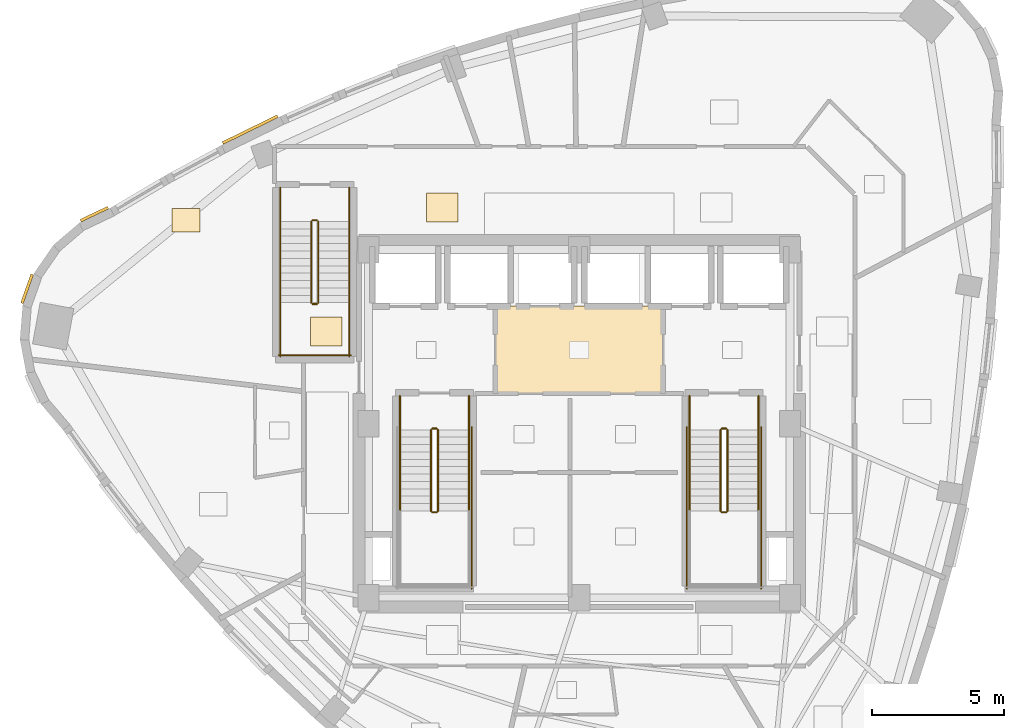
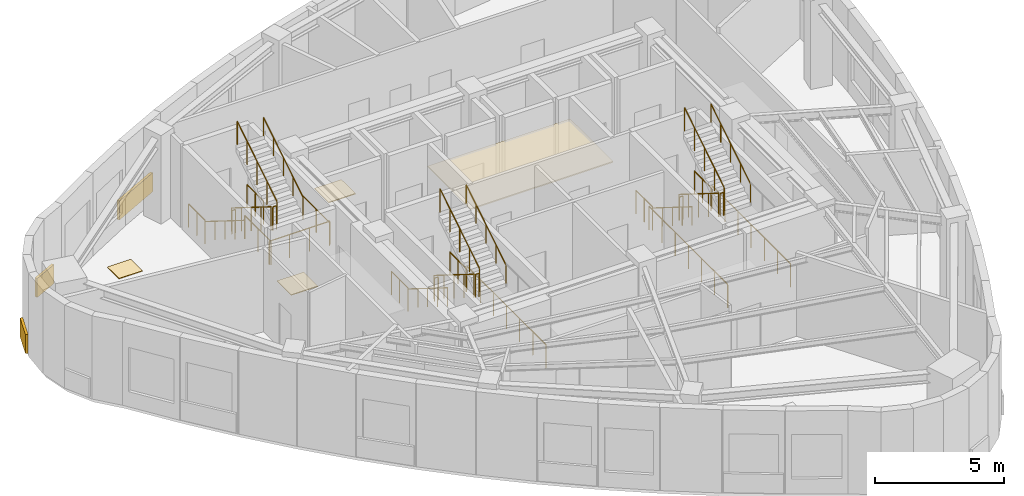
# One storey, part 8 of 9: 30 railings, 7 coverings.
"""IFC4 building model written with IfcOpenShell, lengths in metres."""

from ifc_helpers import new_model, si_unit, direction, frame, origin, origin_2d, place, context, subcontext, project, spatial, rectangle, circle, extrude, material, layer, layer_set, type_object, element, save


model = new_model("IFC4")

# Units and contexts
model_context = context("Model", 3, precision=1e-05, world=origin(), true_north=direction((0.0, 1.0)))
body_context = subcontext(model_context, "Body", "Model", "MODEL_VIEW")
ifc_project = project(units=[si_unit("LENGTHUNIT", "METRE"), si_unit("AREAUNIT", "SQUARE_METRE"), si_unit("VOLUMEUNIT", "CUBIC_METRE"), si_unit("PLANEANGLEUNIT", "RADIAN"), si_unit("MASSUNIT", "GRAM", prefix="KILO")], contexts=[model_context])

# Site, building, storey
site_placement = place(None, origin())
site = spatial("IfcSite", under=ifc_project, at=site_placement, CompositionType="ELEMENT")
building_placement = place(site_placement, origin())
building = spatial("IfcBuilding", under=site, at=building_placement, Name="Ndelora Gate Hotel", CompositionType="ELEMENT")
storey_placement = place(building_placement, frame((0.0, 0.0, 260.199951171875)))
storey = spatial("IfcBuildingStorey", under=building, at=storey_placement, Name="L65", CompositionType="ELEMENT", Elevation=260.199951171875)

# Coverings
ifc_material_1 = material(Name="Perforated Acoustic Gypsum Board", Category="gypsum")
ifc_layer_1 = layer(ifc_material_1, 0.054931640625)
ifc_layer_set_1 = layer_set([ifc_layer_1], Name="Perforated Acoustic Gypsum Board")
covering_type_1 = type_object("IfcCoveringType", Name="COV-CEIL-AC60", PredefinedType="CEILING", material=ifc_layer_set_1)
covering_1_placement = place(storey_placement, frame((0.0, 2.800048828125, 2.72265625), z_axis=(0.0, 0.0, 1.0), x_axis=(1.0, 0.0, 0.0)))
element("IfcCovering", 1, at=covering_1_placement, inside=storey, type_object=covering_type_1, Name="L65 Lift Lobby Acoustic Ceiling", PredefinedType="CEILING", context=body_context, shape_type="SweptSolid", body=[
    extrude(rectangle(XDim=6.39990234375, YDim=3.340087890625, at=origin_2d()), origin(), (0.0, 0.0, 1.0), 0.054931640625),
])
ifc_material_2 = material(Name="Terracotta Fired Clay Brick Slip Cladding", Category="masonry")
ifc_layer_2 = layer(ifc_material_2, 0.110107421875)
ifc_layer_set_2 = layer_set([ifc_layer_2], Name="Terracotta Fired Clay Brick Slip Cladding")
covering_type_2 = type_object("IfcCoveringType", Name="COV-CLAD-BRK", PredefinedType="CLADDING", material=ifc_layer_set_2)
for number, where, z_axis, x_axis, name in (
    (2, (-18.3916015625, 7.9462890625, 0.10009765625), (0.0, 0.0, 1.0), (0.90258528435, 0.430511096808, 0.0), "L65 Rounded-Corner Brick Cladding Band 1"),
    (3, (-20.940673828125, 5.115234375, 0.10009765625), (0.0, 0.0, 1.0), (0.333806859234, 0.942641491092, 0.0), "L65 Rounded-Corner Brick Cladding Band 4"),
):
    element("IfcCovering", number, at=place(storey_placement, frame(where, z_axis=z_axis, x_axis=x_axis)), inside=storey, type_object=covering_type_2, Name=name, PredefinedType="CLADDING", context=body_context, shape_type="SweptSolid", body=[
        extrude(rectangle(XDim=1.153076171875, YDim=0.110107421875, at=origin_2d()), origin(), (0.0, 0.0, 1.0), 0.89990234375),
    ])
covering_2_placement = place(storey_placement, frame((-12.480224609375, 11.15380859375, 0.10009765625), z_axis=(0.0, 0.0, 1.0), x_axis=(0.898181088787, 0.4396256723, 0.0)))
element("IfcCovering", 4, at=covering_2_placement, inside=storey, type_object=covering_type_2, Name="L65 Rounded-Corner Brick Cladding Band 58", PredefinedType="CLADDING", context=body_context, shape_type="SweptSolid", body=[
    extrude(rectangle(XDim=2.322021484375, YDim=0.110107421875, at=origin_2d()), origin(), (0.0, 0.0, 1.0), 0.89990234375),
])
ifc_material_3 = material(Name="Engineered Highland Oak Parquet", Category="wood")
ifc_layer_3 = layer(ifc_material_3, 0.030029296875)
ifc_layer_set_3 = layer_set([ifc_layer_3], Name="Engineered Highland Oak Parquet")
covering_type_3 = type_object("IfcCoveringType", Name="COV-FLR-PARQ", PredefinedType="FLOORING", material=ifc_layer_set_3)
covering_3_placement = place(storey_placement, frame((-14.9140625, 7.714111328125, 0.0), z_axis=(0.0, 0.0, 1.0), x_axis=(1.0, 0.0, 0.0)))
element("IfcCovering", 5, at=covering_3_placement, inside=storey, type_object=covering_type_3, Name="L65 Sky Garden Tea Dining Room Oak Parquet Flooring", PredefinedType="FLOORING", context=body_context, shape_type="SweptSolid", body=[
    extrude(rectangle(XDim=1.050048828125, YDim=0.89990234375, at=origin_2d()), origin(), (0.0, 0.0, 1.0), 0.030029296875),
])
ifc_material_4 = material(Name="Polished Highland Stone Terrazzo", Category="masonry")
ifc_layer_4 = layer(ifc_material_4, 0.034912109375)
ifc_layer_set_4 = layer_set([ifc_layer_4], Name="Polished Highland Stone Terrazzo")
covering_type_4 = type_object("IfcCoveringType", Name="COV-FLR-TERZ", PredefinedType="FLOORING", material=ifc_layer_set_4)
for number, where, z_axis, x_axis, name in (
    (6, (-5.199951171875, 8.199951171875, 0.0), (0.0, 0.0, 1.0), (1.0, 0.0, 0.0), "L65 Corridor Threshold Terrazzo Inlay NW"),
    (7, (-9.60009765625, 3.5, 0.0), (0.0, 0.0, 1.0), (1.0, 0.0, 0.0), "L65 Corridor Threshold Terrazzo Inlay W"),
):
    element("IfcCovering", number, at=place(storey_placement, frame(where, z_axis=z_axis, x_axis=x_axis)), inside=storey, type_object=covering_type_4, Name=name, PredefinedType="FLOORING", context=body_context, shape_type="SweptSolid", body=[
        extrude(rectangle(XDim=1.199951171875, YDim=1.10009765625, at=origin_2d()), origin(), (0.0, 0.0, 1.0), 0.034912109375),
    ])

# Railings
ifc_material_5 = material(Name="Painted Galvanized Steel Balustrade", Category="steel")
ifc_layer_5 = layer(ifc_material_5, 0.06005859375)
ifc_layer_set_5 = layer_set([ifc_layer_5], Name="Painted Galvanized Steel Balustrade")
railing_type_1 = type_object("IfcRailingType", Name="RL-STAIR-GD", PredefinedType="GUARDRAIL", material=ifc_layer_set_5)
railing_1_placement = place(storey_placement, frame((-5.6201171875, -0.22998046875, 0.175048828125)))
element("IfcRailing", 8, at=railing_1_placement, inside=storey, type_object=railing_type_1, Name="L65 ST4 stair guard 1", PredefinedType="GUARDRAIL", context=body_context, shape_type="SweptSolid", body=[
    extrude(circle(Radius=0.02392578125, at=origin_2d()), frame((0.0, 0.0, 1.10595703125), z_axis=(0.0, -0.847998304005, 0.529998940003), x_axis=(1.0, 0.0, 0.0)), (0.0, 0.0, 1.0), 3.632080078125),
    extrude(circle(Radius=0.02099609375, at=origin_2d()), origin(), (0.0, 0.0, 1.0), 1.081787109375),
    extrude(circle(Radius=0.02099609375, at=origin_2d()), frame((0.0, -0.77001953125, 0.481201171875)), (0.0, 0.0, 1.0), 1.081787109375),
    extrude(circle(Radius=0.02099609375, at=origin_2d()), frame((0.0, -1.5400390625, 0.96240234375)), (0.0, 0.0, 1.0), 1.081787109375),
    extrude(circle(Radius=0.02099609375, at=origin_2d()), frame((0.0, -2.31005859375, 1.44384765625)), (0.0, 0.0, 1.0), 1.081787109375),
    extrude(circle(Radius=0.02099609375, at=origin_2d()), frame((0.0, -3.080078125, 1.925048828125)), (0.0, 0.0, 1.0), 1.081787109375),
])
railing_2_placement = place(storey_placement, frame((-5.570068359375, -3.360107421875, 2.10009765625)))
element("IfcRailing", 9, at=railing_2_placement, inside=storey, type_object=railing_type_1, Name="L65 ST4 stair guard 2", PredefinedType="GUARDRAIL", context=body_context, shape_type="SweptSolid", body=[
    extrude(circle(Radius=0.02392578125, at=origin_2d()), frame((0.0, 0.0, 1.10595703125), z_axis=(1.0, 0.0, 0.0), x_axis=(0.0, 1.0, 0.0)), (0.0, 0.0, 1.0), 0.16015625),
    extrude(circle(Radius=0.02099609375, at=origin_2d()), origin(), (0.0, 0.0, 1.0), 1.081787109375),
    extrude(circle(Radius=0.02099609375, at=origin_2d()), frame((0.16015625, 0.0, 0.0)), (0.0, 0.0, 1.0), 1.081787109375),
])
railing_3_placement = place(storey_placement, frame((-5.360107421875, -3.31005859375, 2.275146484375)))
element("IfcRailing", 10, at=railing_3_placement, inside=storey, type_object=railing_type_1, Name="L65 ST4 stair guard 6", PredefinedType="GUARDRAIL", context=body_context, shape_type="SweptSolid", body=[
    extrude(circle(Radius=0.02392578125, at=origin_2d()), frame((0.0, 0.0, 1.10595703125), z_axis=(0.0, 0.848028513186, 0.529950602248), x_axis=(-1.0, 0.0, 0.0)), (0.0, 0.0, 1.0), 3.632080078125),
    extrude(circle(Radius=0.02099609375, at=origin_2d()), origin(), (0.0, 0.0, 1.0), 1.081787109375),
    extrude(circle(Radius=0.02099609375, at=origin_2d()), frame((0.0, 0.77001953125, 0.481201171875)), (0.0, 0.0, 1.0), 1.081787109375),
    extrude(circle(Radius=0.02099609375, at=origin_2d()), frame((0.0, 1.5400390625, 0.96240234375)), (0.0, 0.0, 1.0), 1.081787109375),
    extrude(circle(Radius=0.02099609375, at=origin_2d()), frame((0.0, 2.31005859375, 1.443603515625)), (0.0, 0.0, 1.0), 1.081787109375),
    extrude(circle(Radius=0.02099609375, at=origin_2d()), frame((0.0, 3.080078125, 1.9248046875)), (0.0, 0.0, 1.0), 1.081787109375),
])
railing_4_placement = place(storey_placement, frame((-5.570068359375, -0.179931640625, 0.0)))
element("IfcRailing", 11, at=railing_4_placement, inside=storey, type_object=railing_type_1, Name="L65 ST4 stair guard 7", PredefinedType="GUARDRAIL", context=body_context, shape_type="SweptSolid", body=[
    extrude(circle(Radius=0.02392578125, at=origin_2d()), frame((0.0, 0.0, 1.10595703125), z_axis=(1.0, 0.0, 0.0), x_axis=(0.0, 1.0, 0.0)), (0.0, 0.0, 1.0), 0.16015625),
    extrude(circle(Radius=0.02099609375, at=origin_2d()), origin(), (0.0, 0.0, 1.0), 1.081787109375),
    extrude(circle(Radius=0.02099609375, at=origin_2d()), frame((0.16015625, 0.0, 0.0)), (0.0, 0.0, 1.0), 1.081787109375),
])
for number, where, name in (
    (12, (-6.800048828125, 1.050048828125, 0.0), "L65 ST4 stair guard 8"),
    (13, (-4.179931640625, 1.050048828125, 0.0), "L65 ST4 stair guard 9"),
):
    element("IfcRailing", number, at=place(storey_placement, frame(where)), inside=storey, type_object=railing_type_1, Name=name, PredefinedType="GUARDRAIL", context=body_context, shape_type="SweptSolid", body=[
        extrude(circle(Radius=0.02392578125, at=origin_2d()), frame((0.0, 0.0, 1.10595703125), z_axis=(0.0, -1.0, 0.0), x_axis=(1.0, 0.0, 0.0)), (0.0, 0.0, 1.0), 1.280029296875),
        extrude(circle(Radius=0.02099609375, at=origin_2d()), origin(), (0.0, 0.0, 1.0), 1.081787109375),
        extrude(circle(Radius=0.02099609375, at=origin_2d()), frame((0.0, -0.64013671875, 0.0)), (0.0, 0.0, 1.0), 1.081787109375),
        extrude(circle(Radius=0.02099609375, at=origin_2d()), frame((0.0, -1.280029296875, 0.0)), (0.0, 0.0, 1.0), 1.081787109375),
    ])
railing_5_placement = place(storey_placement, frame((-4.080078125, -0.1298828125, 0.0)))
element("IfcRailing", 14, at=railing_5_placement, inside=storey, type_object=railing_type_1, Name="L65 ST4 stair guard 11", PredefinedType="GUARDRAIL", context=body_context, shape_type="SweptSolid", body=[
    extrude(circle(Radius=0.02392578125, at=origin_2d()), frame((0.0, 0.0, 1.10595703125), z_axis=(0.0, -1.0, 0.0), x_axis=(1.0, 0.0, 0.0)), (0.0, 0.0, 1.0), 6.1201171875),
    extrude(circle(Radius=0.02099609375, at=origin_2d()), origin(), (0.0, 0.0, 1.0), 1.081787109375),
    extrude(circle(Radius=0.02099609375, at=origin_2d()), frame((0.0, -1.02001953125, 0.0)), (0.0, 0.0, 1.0), 1.081787109375),
    extrude(circle(Radius=0.02099609375, at=origin_2d()), frame((0.0, -2.0400390625, 0.0)), (0.0, 0.0, 1.0), 1.081787109375),
    extrude(circle(Radius=0.02099609375, at=origin_2d()), frame((0.0, -3.06005859375, 0.0)), (0.0, 0.0, 1.0), 1.081787109375),
    extrude(circle(Radius=0.02099609375, at=origin_2d()), frame((0.0, -4.080078125, 0.0)), (0.0, 0.0, 1.0), 1.081787109375),
    extrude(circle(Radius=0.02099609375, at=origin_2d()), frame((0.0, -5.10009765625, 0.0)), (0.0, 0.0, 1.0), 1.081787109375),
    extrude(circle(Radius=0.02099609375, at=origin_2d()), frame((0.0, -6.1201171875, 0.0)), (0.0, 0.0, 1.0), 1.081787109375),
])
railing_6_placement = place(storey_placement, frame((5.360107421875, -0.22998046875, 0.175048828125)))
element("IfcRailing", 15, at=railing_6_placement, inside=storey, type_object=railing_type_1, Name="L65 ST5 stair guard 1", PredefinedType="GUARDRAIL", context=body_context, shape_type="SweptSolid", body=[
    extrude(circle(Radius=0.02392578125, at=origin_2d()), frame((0.0, 0.0, 1.10595703125), z_axis=(0.0, -0.847998304005, 0.529998940003), x_axis=(1.0, 0.0, 0.0)), (0.0, 0.0, 1.0), 3.632080078125),
    extrude(circle(Radius=0.02099609375, at=origin_2d()), origin(), (0.0, 0.0, 1.0), 1.081787109375),
    extrude(circle(Radius=0.02099609375, at=origin_2d()), frame((0.0, -0.77001953125, 0.481201171875)), (0.0, 0.0, 1.0), 1.081787109375),
    extrude(circle(Radius=0.02099609375, at=origin_2d()), frame((0.0, -1.5400390625, 0.96240234375)), (0.0, 0.0, 1.0), 1.081787109375),
    extrude(circle(Radius=0.02099609375, at=origin_2d()), frame((0.0, -2.31005859375, 1.44384765625)), (0.0, 0.0, 1.0), 1.081787109375),
    extrude(circle(Radius=0.02099609375, at=origin_2d()), frame((0.0, -3.080078125, 1.925048828125)), (0.0, 0.0, 1.0), 1.081787109375),
])
railing_7_placement = place(storey_placement, frame((5.409912109375, -3.360107421875, 2.10009765625)))
element("IfcRailing", 16, at=railing_7_placement, inside=storey, type_object=railing_type_1, Name="L65 ST5 stair guard 2", PredefinedType="GUARDRAIL", context=body_context, shape_type="SweptSolid", body=[
    extrude(circle(Radius=0.02392578125, at=origin_2d()), frame((0.0, 0.0, 1.10595703125), z_axis=(1.0, 0.0, 0.0), x_axis=(0.0, 1.0, 0.0)), (0.0, 0.0, 1.0), 0.16015625),
    extrude(circle(Radius=0.02099609375, at=origin_2d()), origin(), (0.0, 0.0, 1.0), 1.081787109375),
    extrude(circle(Radius=0.02099609375, at=origin_2d()), frame((0.16015625, 0.0, 0.0)), (0.0, 0.0, 1.0), 1.081787109375),
])
railing_8_placement = place(storey_placement, frame((5.6201171875, -3.31005859375, 2.275146484375)))
element("IfcRailing", 17, at=railing_8_placement, inside=storey, type_object=railing_type_1, Name="L65 ST5 stair guard 6", PredefinedType="GUARDRAIL", context=body_context, shape_type="SweptSolid", body=[
    extrude(circle(Radius=0.02392578125, at=origin_2d()), frame((0.0, 0.0, 1.10595703125), z_axis=(0.0, 0.848028513186, 0.529950602248), x_axis=(-1.0, 0.0, 0.0)), (0.0, 0.0, 1.0), 3.632080078125),
    extrude(circle(Radius=0.02099609375, at=origin_2d()), origin(), (0.0, 0.0, 1.0), 1.081787109375),
    extrude(circle(Radius=0.02099609375, at=origin_2d()), frame((0.0, 0.77001953125, 0.481201171875)), (0.0, 0.0, 1.0), 1.081787109375),
    extrude(circle(Radius=0.02099609375, at=origin_2d()), frame((0.0, 1.5400390625, 0.96240234375)), (0.0, 0.0, 1.0), 1.081787109375),
    extrude(circle(Radius=0.02099609375, at=origin_2d()), frame((0.0, 2.31005859375, 1.443603515625)), (0.0, 0.0, 1.0), 1.081787109375),
    extrude(circle(Radius=0.02099609375, at=origin_2d()), frame((0.0, 3.080078125, 1.9248046875)), (0.0, 0.0, 1.0), 1.081787109375),
])
railing_9_placement = place(storey_placement, frame((5.409912109375, -0.179931640625, 0.0)))
element("IfcRailing", 18, at=railing_9_placement, inside=storey, type_object=railing_type_1, Name="L65 ST5 stair guard 7", PredefinedType="GUARDRAIL", context=body_context, shape_type="SweptSolid", body=[
    extrude(circle(Radius=0.02392578125, at=origin_2d()), frame((0.0, 0.0, 1.10595703125), z_axis=(1.0, 0.0, 0.0), x_axis=(0.0, 1.0, 0.0)), (0.0, 0.0, 1.0), 0.16015625),
    extrude(circle(Radius=0.02099609375, at=origin_2d()), origin(), (0.0, 0.0, 1.0), 1.081787109375),
    extrude(circle(Radius=0.02099609375, at=origin_2d()), frame((0.16015625, 0.0, 0.0)), (0.0, 0.0, 1.0), 1.081787109375),
])
for number, where, name in (
    (19, (4.179931640625, 1.050048828125, 0.0), "L65 ST5 stair guard 8"),
    (20, (6.800048828125, 1.050048828125, 0.0), "L65 ST5 stair guard 9"),
):
    element("IfcRailing", number, at=place(storey_placement, frame(where)), inside=storey, type_object=railing_type_1, Name=name, PredefinedType="GUARDRAIL", context=body_context, shape_type="SweptSolid", body=[
        extrude(circle(Radius=0.02392578125, at=origin_2d()), frame((0.0, 0.0, 1.10595703125), z_axis=(0.0, -1.0, 0.0), x_axis=(1.0, 0.0, 0.0)), (0.0, 0.0, 1.0), 1.280029296875),
        extrude(circle(Radius=0.02099609375, at=origin_2d()), origin(), (0.0, 0.0, 1.0), 1.081787109375),
        extrude(circle(Radius=0.02099609375, at=origin_2d()), frame((0.0, -0.64013671875, 0.0)), (0.0, 0.0, 1.0), 1.081787109375),
        extrude(circle(Radius=0.02099609375, at=origin_2d()), frame((0.0, -1.280029296875, 0.0)), (0.0, 0.0, 1.0), 1.081787109375),
    ])
for number, where, name in (
    (21, (4.080078125, -0.1298828125, 0.0), "L65 ST5 stair guard 10"),
    (22, (6.89990234375, -0.1298828125, 0.0), "L65 ST5 stair guard 11"),
):
    element("IfcRailing", number, at=place(storey_placement, frame(where)), inside=storey, type_object=railing_type_1, Name=name, PredefinedType="GUARDRAIL", context=body_context, shape_type="SweptSolid", body=[
        extrude(circle(Radius=0.02392578125, at=origin_2d()), frame((0.0, 0.0, 1.10595703125), z_axis=(0.0, -1.0, 0.0), x_axis=(1.0, 0.0, 0.0)), (0.0, 0.0, 1.0), 6.1201171875),
        extrude(circle(Radius=0.02099609375, at=origin_2d()), origin(), (0.0, 0.0, 1.0), 1.081787109375),
        extrude(circle(Radius=0.02099609375, at=origin_2d()), frame((0.0, -1.02001953125, 0.0)), (0.0, 0.0, 1.0), 1.081787109375),
        extrude(circle(Radius=0.02099609375, at=origin_2d()), frame((0.0, -2.0400390625, 0.0)), (0.0, 0.0, 1.0), 1.081787109375),
        extrude(circle(Radius=0.02099609375, at=origin_2d()), frame((0.0, -3.06005859375, 0.0)), (0.0, 0.0, 1.0), 1.081787109375),
        extrude(circle(Radius=0.02099609375, at=origin_2d()), frame((0.0, -4.080078125, 0.0)), (0.0, 0.0, 1.0), 1.081787109375),
        extrude(circle(Radius=0.02099609375, at=origin_2d()), frame((0.0, -5.10009765625, 0.0)), (0.0, 0.0, 1.0), 1.081787109375),
        extrude(circle(Radius=0.02099609375, at=origin_2d()), frame((0.0, -6.1201171875, 0.0)), (0.0, 0.0, 1.0), 1.081787109375),
    ])
railing_10_placement = place(storey_placement, frame((-10.159912109375, 7.669921875, 0.175048828125)))
element("IfcRailing", 23, at=railing_10_placement, inside=storey, type_object=railing_type_1, Name="L65 ST6 stair guard 1", PredefinedType="GUARDRAIL", context=body_context, shape_type="SweptSolid", body=[
    extrude(circle(Radius=0.02392578125, at=origin_2d()), frame((0.0, 0.0, 1.10595703125), z_axis=(0.0, -0.847979421464, 0.530029150871), x_axis=(1.0, 0.0, 0.0)), (0.0, 0.0, 1.0), 3.632080078125),
    extrude(circle(Radius=0.02099609375, at=origin_2d()), origin(), (0.0, 0.0, 1.0), 1.081787109375),
    extrude(circle(Radius=0.02099609375, at=origin_2d()), frame((0.0, -0.77001953125, 0.481201171875)), (0.0, 0.0, 1.0), 1.081787109375),
    extrude(circle(Radius=0.02099609375, at=origin_2d()), frame((0.0, -1.5400390625, 0.96240234375)), (0.0, 0.0, 1.0), 1.081787109375),
    extrude(circle(Radius=0.02099609375, at=origin_2d()), frame((0.0, -2.309814453125, 1.44384765625)), (0.0, 0.0, 1.0), 1.081787109375),
    extrude(circle(Radius=0.02099609375, at=origin_2d()), frame((0.0, -3.079833984375, 1.925048828125)), (0.0, 0.0, 1.0), 1.081787109375),
])
railing_11_placement = place(storey_placement, frame((-10.110107421875, 4.5400390625, 2.10009765625)))
element("IfcRailing", 24, at=railing_11_placement, inside=storey, type_object=railing_type_1, Name="L65 ST6 stair guard 2", PredefinedType="GUARDRAIL", context=body_context, shape_type="SweptSolid", body=[
    extrude(circle(Radius=0.02392578125, at=origin_2d()), frame((0.0, 0.0, 1.10595703125), z_axis=(1.0, 0.0, 0.0), x_axis=(0.0, 1.0, 0.0)), (0.0, 0.0, 1.0), 0.16015625),
    extrude(circle(Radius=0.02099609375, at=origin_2d()), origin(), (0.0, 0.0, 1.0), 1.081787109375),
    extrude(circle(Radius=0.02099609375, at=origin_2d()), frame((0.16015625, 0.0, 0.0)), (0.0, 0.0, 1.0), 1.081787109375),
])
for number, where, name in (
    (25, (-11.340087890625, 4.590087890625, 2.10009765625), "L65 ST6 stair guard 3"),
    (26, (-8.719970703125, 4.590087890625, 2.10009765625), "L65 ST6 stair guard 4"),
):
    element("IfcRailing", number, at=place(storey_placement, frame(where)), inside=storey, type_object=railing_type_1, Name=name, PredefinedType="GUARDRAIL", context=body_context, shape_type="SweptSolid", body=[
        extrude(circle(Radius=0.02392578125, at=origin_2d()), frame((0.0, 0.0, 1.10595703125), z_axis=(0.0, -1.0, 0.0), x_axis=(1.0, 0.0, 0.0)), (0.0, 0.0, 1.0), 2.0400390625),
        extrude(circle(Radius=0.02099609375, at=origin_2d()), origin(), (0.0, 0.0, 1.0), 1.081787109375),
        extrude(circle(Radius=0.02099609375, at=origin_2d()), frame((0.0, -1.02001953125, 0.0)), (0.0, 0.0, 1.0), 1.081787109375),
        extrude(circle(Radius=0.02099609375, at=origin_2d()), frame((0.0, -2.0400390625, 0.0)), (0.0, 0.0, 1.0), 1.081787109375),
    ])
railing_12_placement = place(storey_placement, frame((-11.389892578125, 2.60009765625, 2.10009765625)))
element("IfcRailing", 27, at=railing_12_placement, inside=storey, type_object=railing_type_1, Name="L65 ST6 stair guard 5", PredefinedType="GUARDRAIL", context=body_context, shape_type="SweptSolid", body=[
    extrude(circle(Radius=0.02392578125, at=origin_2d()), frame((0.0, 0.0, 1.10595703125), z_axis=(1.0, 0.0, 0.0), x_axis=(0.0, 1.0, 0.0)), (0.0, 0.0, 1.0), 2.719970703125),
    extrude(circle(Radius=0.02099609375, at=origin_2d()), origin(), (0.0, 0.0, 1.0), 1.081787109375),
    extrude(circle(Radius=0.02099609375, at=origin_2d()), frame((0.90673828125, 0.0, 0.0)), (0.0, 0.0, 1.0), 1.081787109375),
    extrude(circle(Radius=0.02099609375, at=origin_2d()), frame((1.813232421875, 0.0, 0.0)), (0.0, 0.0, 1.0), 1.081787109375),
    extrude(circle(Radius=0.02099609375, at=origin_2d()), frame((2.719970703125, 0.0, 0.0)), (0.0, 0.0, 1.0), 1.081787109375),
])
railing_13_placement = place(storey_placement, frame((-9.89990234375, 4.590087890625, 2.275146484375)))
element("IfcRailing", 28, at=railing_13_placement, inside=storey, type_object=railing_type_1, Name="L65 ST6 stair guard 6", PredefinedType="GUARDRAIL", context=body_context, shape_type="SweptSolid", body=[
    extrude(circle(Radius=0.02392578125, at=origin_2d()), frame((0.0, 0.0, 1.10595703125), z_axis=(0.0, 0.848009633417, 0.529980812513), x_axis=(-1.0, 0.0, 0.0)), (0.0, 0.0, 1.0), 3.6318359375),
    extrude(circle(Radius=0.02099609375, at=origin_2d()), origin(), (0.0, 0.0, 1.0), 1.081787109375),
    extrude(circle(Radius=0.02099609375, at=origin_2d()), frame((0.0, 0.77001953125, 0.481201171875)), (0.0, 0.0, 1.0), 1.081787109375),
    extrude(circle(Radius=0.02099609375, at=origin_2d()), frame((0.0, 1.5400390625, 0.96240234375)), (0.0, 0.0, 1.0), 1.081787109375),
    extrude(circle(Radius=0.02099609375, at=origin_2d()), frame((0.0, 2.309814453125, 1.443603515625)), (0.0, 0.0, 1.0), 1.081787109375),
    extrude(circle(Radius=0.02099609375, at=origin_2d()), frame((0.0, 3.079833984375, 1.9248046875)), (0.0, 0.0, 1.0), 1.081787109375),
])
railing_14_placement = place(storey_placement, frame((-10.110107421875, 7.719970703125, 0.0)))
element("IfcRailing", 29, at=railing_14_placement, inside=storey, type_object=railing_type_1, Name="L65 ST6 stair guard 7", PredefinedType="GUARDRAIL", context=body_context, shape_type="SweptSolid", body=[
    extrude(circle(Radius=0.02392578125, at=origin_2d()), frame((0.0, 0.0, 1.10595703125), z_axis=(1.0, 0.0, 0.0), x_axis=(0.0, 1.0, 0.0)), (0.0, 0.0, 1.0), 0.16015625),
    extrude(circle(Radius=0.02099609375, at=origin_2d()), origin(), (0.0, 0.0, 1.0), 1.081787109375),
    extrude(circle(Radius=0.02099609375, at=origin_2d()), frame((0.16015625, 0.0, 0.0)), (0.0, 0.0, 1.0), 1.081787109375),
])
for number, where, name in (
    (30, (-11.340087890625, 8.949951171875, 0.0), "L65 ST6 stair guard 8"),
    (31, (-8.719970703125, 8.949951171875, 0.0), "L65 ST6 stair guard 9"),
):
    element("IfcRailing", number, at=place(storey_placement, frame(where)), inside=storey, type_object=railing_type_1, Name=name, PredefinedType="GUARDRAIL", context=body_context, shape_type="SweptSolid", body=[
        extrude(circle(Radius=0.02392578125, at=origin_2d()), frame((0.0, 0.0, 1.10595703125), z_axis=(0.0, -1.0, 0.0), x_axis=(1.0, 0.0, 0.0)), (0.0, 0.0, 1.0), 1.280029296875),
        extrude(circle(Radius=0.02099609375, at=origin_2d()), origin(), (0.0, 0.0, 1.0), 1.081787109375),
        extrude(circle(Radius=0.02099609375, at=origin_2d()), frame((0.0, -0.64013671875, 0.0)), (0.0, 0.0, 1.0), 1.081787109375),
        extrude(circle(Radius=0.02099609375, at=origin_2d()), frame((0.0, -1.280029296875, 0.0)), (0.0, 0.0, 1.0), 1.081787109375),
    ])
ifc_material_6 = material(Name="Brushed Stainless Steel 316", Category="steel")
ifc_layer_6 = layer(ifc_material_6, 0.050048828125)
ifc_layer_set_6 = layer_set([ifc_layer_6], Name="Brushed Stainless Steel 316")
railing_type_2 = type_object("IfcRailingType", Name="RL-STAIR-HR", PredefinedType="HANDRAIL", material=ifc_layer_set_6)
railing_15_placement = place(storey_placement, frame((-6.800048828125, -0.22998046875, 0.175048828125)))
element("IfcRailing", 32, at=railing_15_placement, inside=storey, type_object=railing_type_2, Name="L65 ST4 stair handrail 1", PredefinedType="HANDRAIL", context=body_context, shape_type="SweptSolid", body=[
    extrude(circle(Radius=0.02392578125, at=origin_2d()), frame((0.0, 0.0, 0.8759765625), z_axis=(0.0, -0.847998304005, 0.529998940003), x_axis=(1.0, 0.0, 0.0)), (0.0, 0.0, 1.0), 3.632080078125),
    extrude(circle(Radius=0.02099609375, at=origin_2d()), origin(), (0.0, 0.0, 1.0), 0.851806640625),
    extrude(circle(Radius=0.02099609375, at=origin_2d()), frame((0.0, -0.77001953125, 0.481201171875)), (0.0, 0.0, 1.0), 0.851806640625),
    extrude(circle(Radius=0.02099609375, at=origin_2d()), frame((0.0, -1.5400390625, 0.96240234375)), (0.0, 0.0, 1.0), 0.851806640625),
    extrude(circle(Radius=0.02099609375, at=origin_2d()), frame((0.0, -2.31005859375, 1.44384765625)), (0.0, 0.0, 1.0), 0.851806640625),
    extrude(circle(Radius=0.02099609375, at=origin_2d()), frame((0.0, -3.080078125, 1.925048828125)), (0.0, 0.0, 1.0), 0.851806640625),
])
railing_16_placement = place(storey_placement, frame((-4.179931640625, -3.31005859375, 2.275146484375)))
element("IfcRailing", 33, at=railing_16_placement, inside=storey, type_object=railing_type_2, Name="L65 ST4 stair handrail 2", PredefinedType="HANDRAIL", context=body_context, shape_type="SweptSolid", body=[
    extrude(circle(Radius=0.02392578125, at=origin_2d()), frame((0.0, 0.0, 0.8759765625), z_axis=(0.0, 0.848028513186, 0.529950602248), x_axis=(-1.0, 0.0, 0.0)), (0.0, 0.0, 1.0), 3.632080078125),
    extrude(circle(Radius=0.02099609375, at=origin_2d()), origin(), (0.0, 0.0, 1.0), 0.851806640625),
    extrude(circle(Radius=0.02099609375, at=origin_2d()), frame((0.0, 0.77001953125, 0.481201171875)), (0.0, 0.0, 1.0), 0.851806640625),
    extrude(circle(Radius=0.02099609375, at=origin_2d()), frame((0.0, 1.5400390625, 0.96240234375)), (0.0, 0.0, 1.0), 0.851806640625),
    extrude(circle(Radius=0.02099609375, at=origin_2d()), frame((0.0, 2.31005859375, 1.443603515625)), (0.0, 0.0, 1.0), 0.851806640625),
    extrude(circle(Radius=0.02099609375, at=origin_2d()), frame((0.0, 3.080078125, 1.9248046875)), (0.0, 0.0, 1.0), 0.851806640625),
])
railing_17_placement = place(storey_placement, frame((4.179931640625, -0.22998046875, 0.175048828125)))
element("IfcRailing", 34, at=railing_17_placement, inside=storey, type_object=railing_type_2, Name="L65 ST5 stair handrail 1", PredefinedType="HANDRAIL", context=body_context, shape_type="SweptSolid", body=[
    extrude(circle(Radius=0.02392578125, at=origin_2d()), frame((0.0, 0.0, 0.8759765625), z_axis=(0.0, -0.847998304005, 0.529998940003), x_axis=(1.0, 0.0, 0.0)), (0.0, 0.0, 1.0), 3.632080078125),
    extrude(circle(Radius=0.02099609375, at=origin_2d()), origin(), (0.0, 0.0, 1.0), 0.851806640625),
    extrude(circle(Radius=0.02099609375, at=origin_2d()), frame((0.0, -0.77001953125, 0.481201171875)), (0.0, 0.0, 1.0), 0.851806640625),
    extrude(circle(Radius=0.02099609375, at=origin_2d()), frame((0.0, -1.5400390625, 0.96240234375)), (0.0, 0.0, 1.0), 0.851806640625),
    extrude(circle(Radius=0.02099609375, at=origin_2d()), frame((0.0, -2.31005859375, 1.44384765625)), (0.0, 0.0, 1.0), 0.851806640625),
    extrude(circle(Radius=0.02099609375, at=origin_2d()), frame((0.0, -3.080078125, 1.925048828125)), (0.0, 0.0, 1.0), 0.851806640625),
])
railing_18_placement = place(storey_placement, frame((6.800048828125, -3.31005859375, 2.275146484375)))
element("IfcRailing", 35, at=railing_18_placement, inside=storey, type_object=railing_type_2, Name="L65 ST5 stair handrail 2", PredefinedType="HANDRAIL", context=body_context, shape_type="SweptSolid", body=[
    extrude(circle(Radius=0.02392578125, at=origin_2d()), frame((0.0, 0.0, 0.8759765625), z_axis=(0.0, 0.848028513186, 0.529950602248), x_axis=(-1.0, 0.0, 0.0)), (0.0, 0.0, 1.0), 3.632080078125),
    extrude(circle(Radius=0.02099609375, at=origin_2d()), origin(), (0.0, 0.0, 1.0), 0.851806640625),
    extrude(circle(Radius=0.02099609375, at=origin_2d()), frame((0.0, 0.77001953125, 0.481201171875)), (0.0, 0.0, 1.0), 0.851806640625),
    extrude(circle(Radius=0.02099609375, at=origin_2d()), frame((0.0, 1.5400390625, 0.96240234375)), (0.0, 0.0, 1.0), 0.851806640625),
    extrude(circle(Radius=0.02099609375, at=origin_2d()), frame((0.0, 2.31005859375, 1.443603515625)), (0.0, 0.0, 1.0), 0.851806640625),
    extrude(circle(Radius=0.02099609375, at=origin_2d()), frame((0.0, 3.080078125, 1.9248046875)), (0.0, 0.0, 1.0), 0.851806640625),
])
railing_19_placement = place(storey_placement, frame((-11.340087890625, 7.669921875, 0.175048828125)))
element("IfcRailing", 36, at=railing_19_placement, inside=storey, type_object=railing_type_2, Name="L65 ST6 stair handrail 1", PredefinedType="HANDRAIL", context=body_context, shape_type="SweptSolid", body=[
    extrude(circle(Radius=0.02392578125, at=origin_2d()), frame((0.0, 0.0, 0.8759765625), z_axis=(0.0, -0.847979421464, 0.530029150871), x_axis=(1.0, 0.0, 0.0)), (0.0, 0.0, 1.0), 3.632080078125),
    extrude(circle(Radius=0.02099609375, at=origin_2d()), origin(), (0.0, 0.0, 1.0), 0.851806640625),
    extrude(circle(Radius=0.02099609375, at=origin_2d()), frame((0.0, -0.77001953125, 0.481201171875)), (0.0, 0.0, 1.0), 0.851806640625),
    extrude(circle(Radius=0.02099609375, at=origin_2d()), frame((0.0, -1.5400390625, 0.96240234375)), (0.0, 0.0, 1.0), 0.851806640625),
    extrude(circle(Radius=0.02099609375, at=origin_2d()), frame((0.0, -2.309814453125, 1.44384765625)), (0.0, 0.0, 1.0), 0.851806640625),
    extrude(circle(Radius=0.02099609375, at=origin_2d()), frame((0.0, -3.079833984375, 1.925048828125)), (0.0, 0.0, 1.0), 0.851806640625),
])
railing_20_placement = place(storey_placement, frame((-8.719970703125, 4.590087890625, 2.275146484375)))
element("IfcRailing", 37, at=railing_20_placement, inside=storey, type_object=railing_type_2, Name="L65 ST6 stair handrail 2", PredefinedType="HANDRAIL", context=body_context, shape_type="SweptSolid", body=[
    extrude(circle(Radius=0.02392578125, at=origin_2d()), frame((0.0, 0.0, 0.8759765625), z_axis=(0.0, 0.848009633417, 0.529980812513), x_axis=(-1.0, 0.0, 0.0)), (0.0, 0.0, 1.0), 3.6318359375),
    extrude(circle(Radius=0.02099609375, at=origin_2d()), origin(), (0.0, 0.0, 1.0), 0.851806640625),
    extrude(circle(Radius=0.02099609375, at=origin_2d()), frame((0.0, 0.77001953125, 0.481201171875)), (0.0, 0.0, 1.0), 0.851806640625),
    extrude(circle(Radius=0.02099609375, at=origin_2d()), frame((0.0, 1.5400390625, 0.96240234375)), (0.0, 0.0, 1.0), 0.851806640625),
    extrude(circle(Radius=0.02099609375, at=origin_2d()), frame((0.0, 2.309814453125, 1.443603515625)), (0.0, 0.0, 1.0), 0.851806640625),
    extrude(circle(Radius=0.02099609375, at=origin_2d()), frame((0.0, 3.079833984375, 1.9248046875)), (0.0, 0.0, 1.0), 0.851806640625),
])

save(model, "model.ifc")
